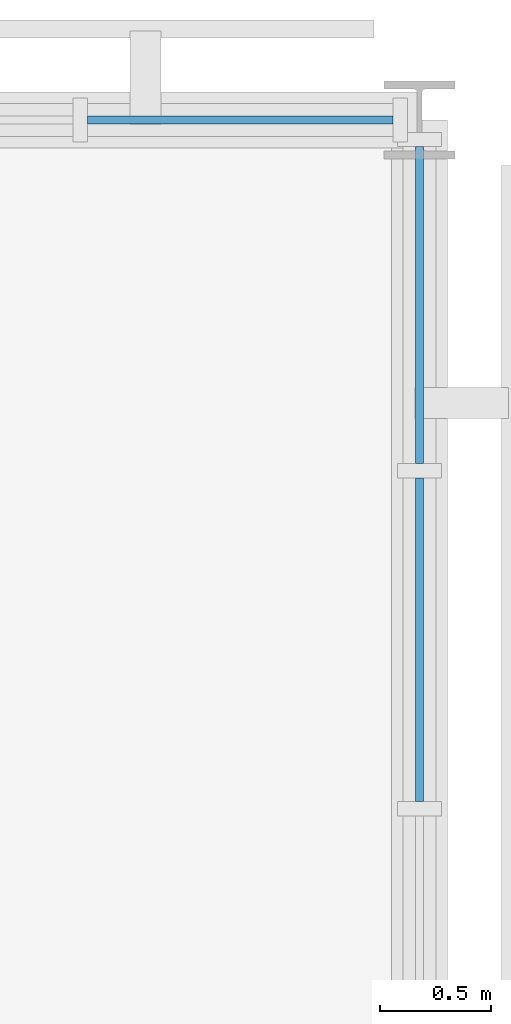
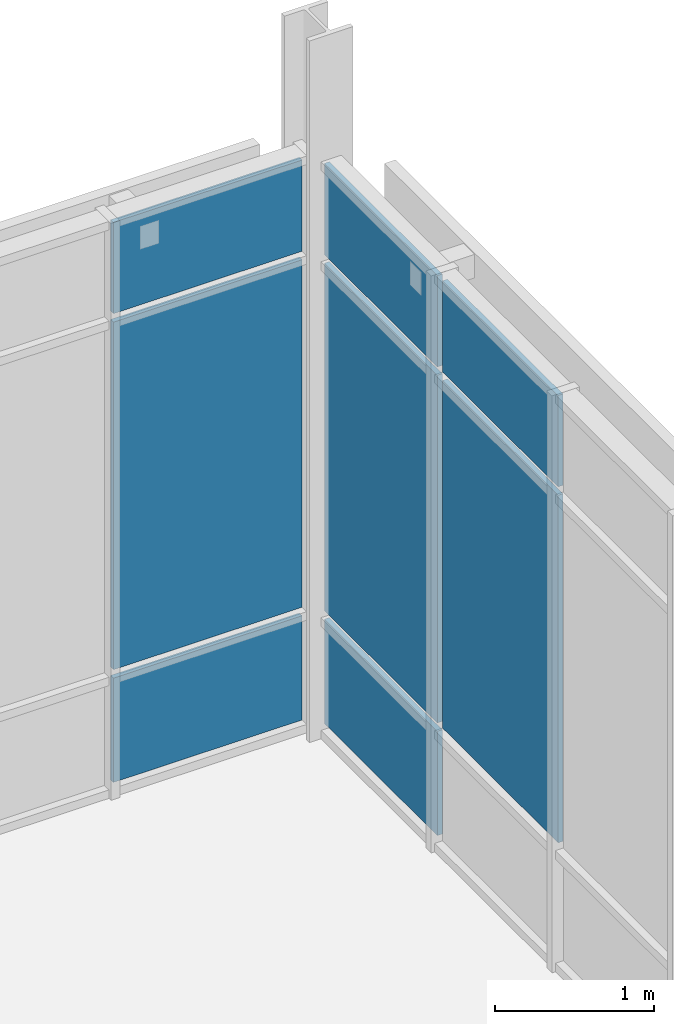
# One storey, part 65 of 105: 8 plates, 2 elements without a shape of their own.
"""IFC4 building model written with IfcOpenShell, lengths in metres."""

from ifc_helpers import new_model, si_unit, direction, frame, origin, origin_2d, place, context, subcontext, project, spatial, rectangle, extrude, material, layer, layer_set, type_object, element, aggregate, save


model = new_model("IFC4")

# Units and contexts
model_context = context("Model", 3, precision=1e-05, world=origin(), true_north=direction((0.0, 1.0)))
body_context = subcontext(model_context, "Body", "Model", "MODEL_VIEW")
ifc_project = project(units=[si_unit("LENGTHUNIT", "METRE"), si_unit("AREAUNIT", "SQUARE_METRE"), si_unit("VOLUMEUNIT", "CUBIC_METRE"), si_unit("PLANEANGLEUNIT", "RADIAN"), si_unit("MASSUNIT", "GRAM", prefix="KILO")], contexts=[model_context])

# Site, building, storey
site_placement = place(None, origin())
site = spatial("IfcSite", under=ifc_project, at=site_placement, CompositionType="ELEMENT")
building_placement = place(site_placement, origin())
building = spatial("IfcBuilding", under=site, at=building_placement, Name="Mirzam Square Science Centre", CompositionType="ELEMENT")
storey_placement = place(building_placement, frame((0.0, 0.0, 5.39990234375)))
storey = spatial("IfcBuildingStorey", under=building, at=storey_placement, Name="L01", CompositionType="ELEMENT", Elevation=5.39990234375)

# Curtain wall, plates
ifc_material_1 = material(Name="Anodised Aluminium and Low-E Solar Glass", Category="aluminium")
ifc_layer_1 = layer(ifc_material_1, 0.219970703125)
ifc_layer_set_1 = layer_set([ifc_layer_1], Name="CW-OBS-A")
curtain_wall_type_1 = type_object("IfcCurtainWallType", Name="CW-OBS-A", PredefinedType="USERDEFINED", material=ifc_layer_set_1)
curtain_wall_1_placement = place(storey_placement, origin())
curtain_wall_1 = element("IfcCurtainWall", 1, at=curtain_wall_1_placement, inside=storey, type_object=curtain_wall_type_1, Name="L01 unitised curtain wall 91", ObjectType="UNITISED CURTAIN WALL", PredefinedType="USERDEFINED")
ifc_material_2 = material(Name="Laminated Low-Iron Observatory Solar Glass", Category="glass")
ifc_layer_2 = layer(ifc_material_2, 0.035888671875)
ifc_layer_set_2 = layer_set([ifc_layer_2], Name="CWP-GLZ-36")
plate_type = type_object("IfcPlateType", Name="CWP-GLZ-36", PredefinedType="CURTAIN_PANEL", material=ifc_layer_set_2)
plate_1_placement = place(storey_placement, frame((137.1923828125, 111.60009765625, 0.06494140625), z_axis=(0.0, 0.0, 1.0), x_axis=(-1.0, 0.0, 0.0)))
plate_1 = element("IfcPlate", 2, at=plate_1_placement, type_object=plate_type, Name="CW-07 panel 1.1", PredefinedType="CURTAIN_PANEL", context=body_context, shape_type="SweptSolid", body=[
    extrude(rectangle(XDim=1.375, YDim=0.035888671875, at=origin_2d()), origin(), (0.0, 0.0, 1.0), 0.802490234375),
])
plate_2_placement = place(storey_placement, frame((137.1923828125, 111.60009765625, 0.9326171875), z_axis=(0.0, 0.0, 1.0), x_axis=(-1.0, 0.0, 0.0)))
plate_2 = element("IfcPlate", 3, at=plate_2_placement, type_object=plate_type, Name="CW-07 panel 1.2", PredefinedType="CURTAIN_PANEL", context=body_context, shape_type="SweptSolid", body=[
    extrude(rectangle(XDim=1.375, YDim=0.035888671875, at=origin_2d()), origin(), (0.0, 0.0, 1.0), 2.675048828125),
])
plate_3_placement = place(storey_placement, frame((137.1923828125, 111.60009765625, 3.6728515625), z_axis=(0.0, 0.0, 1.0), x_axis=(-1.0, 0.0, 0.0)))
plate_3 = element("IfcPlate", 4, at=plate_3_placement, type_object=plate_type, Name="CW-07 panel 1.3", PredefinedType="CURTAIN_PANEL", context=body_context, shape_type="SweptSolid", body=[
    extrude(rectangle(XDim=1.375, YDim=0.035888671875, at=origin_2d()), origin(), (0.0, 0.0, 1.0), 0.702392578125),
])
aggregate(curtain_wall_1, [plate_1, plate_2, plate_3])

ifc_layer_3 = layer(ifc_material_1, 0.179931640625)
ifc_layer_set_3 = layer_set([ifc_layer_3], Name="CW-LINK-A")
curtain_wall_type_2 = type_object("IfcCurtainWallType", Name="CW-LINK-A", PredefinedType="USERDEFINED", material=ifc_layer_set_3)
curtain_wall_2_placement = place(storey_placement, origin())
curtain_wall_2 = element("IfcCurtainWall", 5, at=curtain_wall_2_placement, inside=storey, type_object=curtain_wall_type_2, Name="L01 unitised curtain wall 99", ObjectType="UNITISED CURTAIN WALL", PredefinedType="USERDEFINED")
plate_4_placement = place(storey_placement, frame((138.0, 109.26123046875, 0.9326171875), z_axis=(0.0, 0.0, 1.0), x_axis=(0.0, 1.0, 0.0)))
plate_4 = element("IfcPlate", 6, at=plate_4_placement, type_object=plate_type, Name="CW-08 panel 3.2", PredefinedType="CURTAIN_PANEL", context=body_context, shape_type="SweptSolid", body=[
    extrude(rectangle(XDim=1.45751953125, YDim=0.035888671875, at=origin_2d()), origin(), (0.0, 0.0, 1.0), 2.675048828125),
])
plate_5_placement = place(storey_placement, frame((138.0, 109.26123046875, 3.6728515625), z_axis=(0.0, 0.0, 1.0), x_axis=(0.0, 1.0, 0.0)))
plate_5 = element("IfcPlate", 7, at=plate_5_placement, type_object=plate_type, Name="CW-08 panel 3.3", PredefinedType="CURTAIN_PANEL", context=body_context, shape_type="SweptSolid", body=[
    extrude(rectangle(XDim=1.45751953125, YDim=0.035888671875, at=origin_2d()), origin(), (0.0, 0.0, 1.0), 0.702392578125),
])
plate_6_placement = place(storey_placement, frame((138.0, 110.767578125, 0.06494140625), z_axis=(0.0, 0.0, 1.0), x_axis=(0.0, 1.0, 0.0)))
plate_6 = element("IfcPlate", 8, at=plate_6_placement, type_object=plate_type, Name="CW-08 panel 4.1", PredefinedType="CURTAIN_PANEL", context=body_context, shape_type="SweptSolid", body=[
    extrude(rectangle(XDim=1.425048828125, YDim=0.035888671875, at=origin_2d()), origin(), (0.0, 0.0, 1.0), 0.802490234375),
])
plate_7_placement = place(storey_placement, frame((138.0, 110.767578125, 0.9326171875), z_axis=(0.0, 0.0, 1.0), x_axis=(0.0, 1.0, 0.0)))
plate_7 = element("IfcPlate", 9, at=plate_7_placement, type_object=plate_type, Name="CW-08 panel 4.2", PredefinedType="CURTAIN_PANEL", context=body_context, shape_type="SweptSolid", body=[
    extrude(rectangle(XDim=1.425048828125, YDim=0.035888671875, at=origin_2d()), origin(), (0.0, 0.0, 1.0), 2.675048828125),
])
plate_8_placement = place(storey_placement, frame((138.0, 110.767578125, 3.6728515625), z_axis=(0.0, 0.0, 1.0), x_axis=(0.0, 1.0, 0.0)))
plate_8 = element("IfcPlate", 10, at=plate_8_placement, type_object=plate_type, Name="CW-08 panel 4.3", PredefinedType="CURTAIN_PANEL", context=body_context, shape_type="SweptSolid", body=[
    extrude(rectangle(XDim=1.425048828125, YDim=0.035888671875, at=origin_2d()), origin(), (0.0, 0.0, 1.0), 0.702392578125),
])
aggregate(curtain_wall_2, [plate_4, plate_5, plate_6, plate_7, plate_8])

save(model, "model.ifc")
